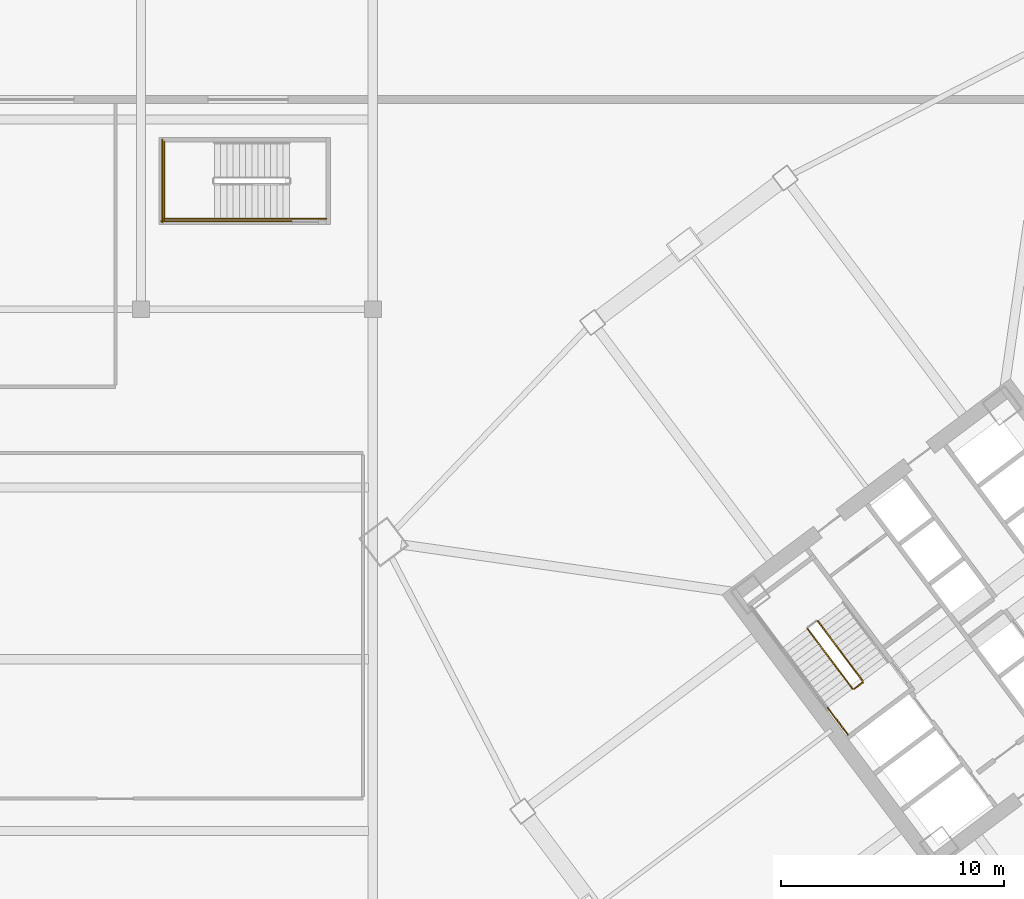
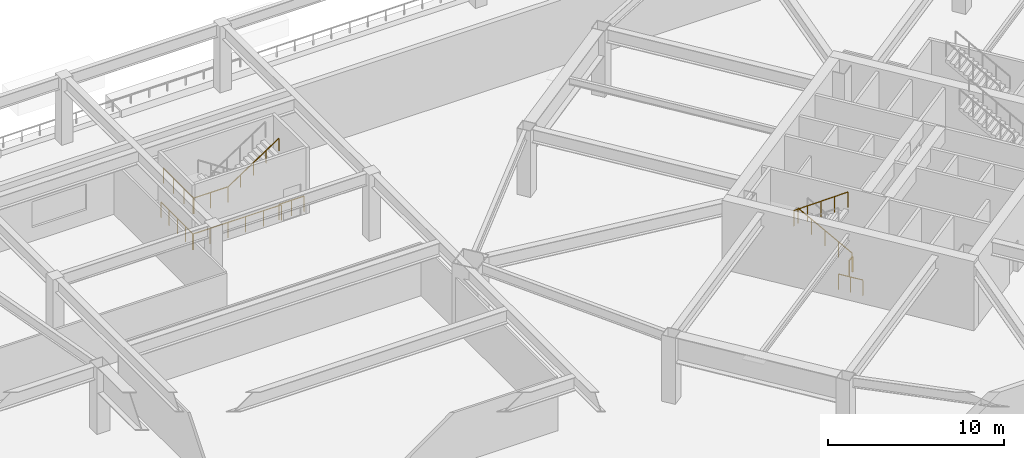
# One storey, part 18 of 21: 10 railings.
"""IFC4 building model written with IfcOpenShell, lengths in metres."""

import ifcopenshell
import ifcopenshell.guid

model = None  # the IFC model being written
_history = None  # IfcOwnerHistory: only IFC2X3 demands one
_inside = {}  # id of a spatial element -> (the spatial element, [elements in it])
_under = {}  # id of a project, library or spatial element -> (it, [spatial elements below it])
_declared = {}  # id of a project -> (the project, [libraries it declares])
_typed = {}  # id of a type object -> (the type object, [elements of that type])
_made_of = {}  # id of a material, layer set ... -> (it, [elements and type objects made of it])


def new_model(schema):
    """Start an empty IFC model of exactly this schema.

    Asked for "IFC4X3", IfcOpenShell would pick the latest addendum, in which some entities
    have other attributes; the version numbers below select the first issue.
    IFC2X3 requires an IfcOwnerHistory on every rooted entity: one is made here for all.
    """
    global model, _history
    if schema == "IFC4X3":
        model = ifcopenshell.file(schema_version=(4, 3, 0, 0))
    else:
        model = ifcopenshell.file(schema=schema)
    _inside.clear()
    _under.clear()
    _declared.clear()
    _typed.clear()
    _made_of.clear()
    _history = None
    if model.schema == "IFC2X3":
        org = make("IfcOrganization", Name="unknown")
        user = make(
            "IfcPersonAndOrganization",
            ThePerson=make("IfcPerson", FamilyName="unknown"),
            TheOrganization=org,
        )
        app = make(
            "IfcApplication",
            ApplicationDeveloper=org,
            Version="unknown",
            ApplicationFullName="unknown",
            ApplicationIdentifier="unknown",
        )
        _history = make(
            "IfcOwnerHistory",
            OwningUser=user,
            OwningApplication=app,
            ChangeAction="ADDED",
            CreationDate=0,
        )
    return model


def make(cls, **values):
    """One entity of the class cls with the attributes given. An attribute that is None is left unset."""
    return model.create_entity(
        cls, **{name: value for name, value in values.items() if value is not None}
    )


def rooted(cls, **values):
    """An entity with a GlobalId (a new one), such as an element, a storey or a relation."""
    return make(cls, GlobalId=ifcopenshell.guid.new(), OwnerHistory=_history, **values)


def si_unit(unit_type, name, prefix=None):
    """IfcSIUnit, for example si_unit("LENGTHUNIT", "METRE", prefix="MILLI")."""
    return make("IfcSIUnit", UnitType=unit_type, Prefix=prefix, Name=name)


def assignment(units):
    """IfcUnitAssignment: the units of a project."""
    return None if units is None else make("IfcUnitAssignment", Units=units)


def point(xyz):
    """IfcCartesianPoint."""
    return None if xyz is None else make("IfcCartesianPoint", Coordinates=xyz)


def direction(xyz):
    """IfcDirection."""
    return None if xyz is None else make("IfcDirection", DirectionRatios=xyz)


def frame(location, z_axis=None, x_axis=None):
    """IfcAxis2Placement3D, a coordinate frame: its origin and axes. An axis left out is left unset."""
    return make(
        "IfcAxis2Placement3D",
        Location=point(location),
        Axis=direction(z_axis),
        RefDirection=direction(x_axis),
    )


def frame_2d(location, x_axis=None):
    """IfcAxis2Placement2D, a coordinate frame in the plane: its origin and x axis."""
    return make(
        "IfcAxis2Placement2D", Location=point(location), RefDirection=direction(x_axis)
    )


def origin():
    """The frame at (0, 0, 0) with its axes left unset."""
    return frame((0.0, 0.0, 0.0))


def origin_2d():
    """The frame at (0, 0) in the plane with its x axis left unset."""
    return frame_2d((0.0, 0.0))


def place(relative_to, where):
    """IfcLocalPlacement: puts the frame where relative to a parent placement (None: the world)."""
    return make(
        "IfcLocalPlacement", PlacementRelTo=relative_to, RelativePlacement=where
    )


def context(
    kind, dimensions, precision=None, world=None, true_north=None, identifier=None
):
    """IfcGeometricRepresentationContext, for example the 3D "Model" context."""
    return make(
        "IfcGeometricRepresentationContext",
        ContextIdentifier=identifier,
        ContextType=kind,
        CoordinateSpaceDimension=dimensions,
        Precision=precision,
        WorldCoordinateSystem=world,
        TrueNorth=true_north,
    )


def subcontext(parent, identifier, kind, view, scale=None):
    """IfcGeometricRepresentationSubContext, for example "Body" below "Model"."""
    return make(
        "IfcGeometricRepresentationSubContext",
        ContextIdentifier=identifier,
        ContextType=kind,
        ParentContext=parent,
        TargetScale=scale,
        TargetView=view,
    )


def project(units=None, contexts=None):
    """IfcProject with its units and contexts."""
    return rooted(
        "IfcProject",
        Name="project",
        RepresentationContexts=contexts,
        UnitsInContext=assignment(units),
    )


def spatial(cls, under=None, at=None, **own):
    """A site, building, storey or space (cls), placed at a placement, below another one or the project."""
    s = rooted(cls, ObjectPlacement=at, **own)
    if under is not None:
        _under.setdefault(under.id(), (under, []))[1].append(s)
    return s


def profile(cls, at=None, kind="AREA", **sizes):
    """A parametric profile (cls). Its sizes go by their IFC names, for example OverallWidth=200.0."""
    return make(cls, ProfileType=kind, Position=at, **sizes)


def rectangle(**sizes):
    """IfcRectangleProfileDef."""
    return profile("IfcRectangleProfileDef", **sizes)


def extrude(swept, where, along, depth):
    """IfcExtrudedAreaSolid: the profile swept, set in the frame where, extruded along a direction by depth."""
    return make(
        "IfcExtrudedAreaSolid",
        SweptArea=swept,
        Position=where,
        ExtrudedDirection=direction(along),
        Depth=depth,
    )


def shape(context_of_items, identifier, shape_type, items):
    """IfcShapeRepresentation: the items that make up one representation, for example the "Body"."""
    return make(
        "IfcShapeRepresentation",
        ContextOfItems=context_of_items,
        RepresentationIdentifier=identifier,
        RepresentationType=shape_type,
        Items=items,
    )


def material(Name=None, Category=None):
    """IfcMaterial."""
    return make("IfcMaterial", Name=Name, Category=Category)


def made_of(thing, what):
    """Note that an element or type object is made of a material, layer set ...; save() writes the relation."""
    if what is not None:
        _made_of.setdefault(what.id(), (what, []))[1].append(thing)
    return thing


def type_object(cls, material=None, **own):
    """A type object (cls), such as IfcWallType, which elements share."""
    return made_of(rooted(cls, **own), material)


def element(
    cls,
    number,
    at=None,
    inside=None,
    cuts=None,
    type_object=None,
    material=None,
    context=None,
    identifier="Body",
    shape_type=None,
    held_by="IfcProductDefinitionShape",
    body=None,
    shapes=None,
    **own,
):
    """One element of the class cls, such as IfcWall. Its Tag is "e" and its number.

    at: its placement. inside: the storey or other place that contains it. cuts: it is an
    opening in that element (IfcRelVoidsElement). A single representation is given by context,
    identifier, shape_type and body (its items); several are given by shapes. held_by: the class
    of the entity that holds the representations. save() writes the other relations.
    """
    e = rooted(cls, Tag="e%d" % number, ObjectPlacement=at, **own)
    if body is not None:
        shapes = [shape(context, identifier, shape_type, body)]
    if shapes is not None:
        e.Representation = make(held_by, Representations=shapes)
    if inside is not None:
        _inside.setdefault(inside.id(), (inside, []))[1].append(e)
    if cuts is not None:
        rooted(
            "IfcRelVoidsElement", RelatingBuildingElement=cuts, RelatedOpeningElement=e
        )
    if type_object is not None:
        _typed.setdefault(type_object.id(), (type_object, []))[1].append(e)
    return made_of(e, material)


def aggregate(whole, parts):
    """IfcRelAggregates: a whole, such as a stair, and the parts it consists of."""
    return rooted("IfcRelAggregates", RelatingObject=whole, RelatedObjects=parts)


def save(model, path):
    """Write the relations noted so far, then the file.

    IfcRelAggregates (storeys below a building ...), IfcRelContainedInSpatialStructure (elements
    in a storey), IfcRelDefinesByType, IfcRelAssociatesMaterial and IfcRelDeclares: one each for
    every whole, place, type object, material and project.
    """
    for whole, parts in _under.values():
        aggregate(whole, parts)
    for where, things in _inside.values():
        rooted(
            "IfcRelContainedInSpatialStructure",
            RelatedElements=things,
            RelatingStructure=where,
        )
    for kind, things in _typed.values():
        rooted("IfcRelDefinesByType", RelatedObjects=things, RelatingType=kind)
    for what, things in _made_of.values():
        rooted("IfcRelAssociatesMaterial", RelatedObjects=things, RelatingMaterial=what)
    for by, libraries in _declared.values():
        rooted("IfcRelDeclares", RelatingContext=by, RelatedDefinitions=libraries)
    model.write(path)


model = new_model("IFC4")

# Units and contexts
model_context = context("Model", 3, precision=1e-05, world=origin(), true_north=direction((0.0, 1.0)))
body_context = subcontext(model_context, "Body", "Model", "MODEL_VIEW")
ifc_project = project(units=[si_unit("LENGTHUNIT", "METRE"), si_unit("AREAUNIT", "SQUARE_METRE"), si_unit("VOLUMEUNIT", "CUBIC_METRE"), si_unit("PLANEANGLEUNIT", "RADIAN"), si_unit("MASSUNIT", "GRAM", prefix="KILO")], contexts=[model_context])

# Site, building, storey
site_placement = place(None, origin())
site = spatial("IfcSite", under=ifc_project, at=site_placement, CompositionType="ELEMENT")
building_placement = place(site_placement, origin())
building = spatial("IfcBuilding", under=site, at=building_placement, Name="Tashvorn Skyway Center", CompositionType="ELEMENT")
storey_placement = place(building_placement, frame((0.0, 0.0, 19.800048828125)))
storey = spatial("IfcBuildingStorey", under=building, at=storey_placement, Name="L04", CompositionType="ELEMENT", Elevation=19.800048828125)

# Railings
ifc_material_1 = material(Name="Brushed stainless steel 316", Category="steel")
railing_type_1 = type_object("IfcRailingType", Name="RAIL-HAND-920", PredefinedType="HANDRAIL", material=ifc_material_1)
railing_1_placement = place(storey_placement, frame((80.090087890625, 50.25, 2.58447265625)))
element("IfcRailing", 1, at=railing_1_placement, inside=storey, type_object=railing_type_1, Name="L04 ST-POD-2 stair handrail 2", PredefinedType="HANDRAIL", context=body_context, shape_type="SweptSolid", body=[
    extrude(rectangle(XDim=0.048095703125, YDim=0.048095703125, at=origin_2d()), frame((0.0, 0.0, 0.8759765625), z_axis=(0.83483021737, 0.0, 0.550507500554), x_axis=(0.0, 1.0, 0.0)), (0.0, 0.0, 1.0), 4.024658203125),
    extrude(rectangle(XDim=0.0419921875, YDim=0.0419921875, at=origin_2d()), origin(), (0.0, 0.0, 1.0), 0.851806640625),
    extrude(rectangle(XDim=0.0419921875, YDim=0.0419921875, at=origin_2d()), frame((0.83984375, 0.0, 0.553955078125)), (0.0, 0.0, 1.0), 0.851806640625),
    extrude(rectangle(XDim=0.0419921875, YDim=0.0419921875, at=origin_2d()), frame((1.679931640625, 0.0, 1.10791015625)), (0.0, 0.0, 1.0), 0.851806640625),
    extrude(rectangle(XDim=0.0419921875, YDim=0.0419921875, at=origin_2d()), frame((2.52001953125, 0.0, 1.66162109375)), (0.0, 0.0, 1.0), 0.851806640625),
    extrude(rectangle(XDim=0.0419921875, YDim=0.0419921875, at=origin_2d()), frame((3.35986328125, 0.0, 2.215576171875)), (0.0, 0.0, 1.0), 0.851806640625),
])
ifc_material_2 = material(Name="Painted galvanized steel S355", Category="steel")
railing_type_2 = type_object("IfcRailingType", Name="RAIL-STGUARD-1100", PredefinedType="GUARDRAIL", material=ifc_material_2)
railing_2_placement = place(storey_placement, frame((109.16796875, 29.52587890625, 0.1845703125)))
element("IfcRailing", 2, at=railing_2_placement, inside=storey, type_object=railing_type_2, Name="L04 ST-T2-1 stair guard 1", PredefinedType="GUARDRAIL", context=body_context, shape_type="SweptSolid", body=[
    extrude(rectangle(XDim=0.048095703125, YDim=0.048095703125, at=origin_2d()), frame((0.0, 0.0, 1.076171875), z_axis=(-0.500877356413, 0.667937576778, 0.550437341902), x_axis=(-0.800043593035, -0.599941871554, 0.0)), (0.0, 0.0, 1.0), 4.024658203125),
    extrude(rectangle(XDim=0.0419921875, YDim=0.0419921875, at=origin_2d()), origin(), (0.0, 0.0, 1.0), 1.052001953125),
    extrude(rectangle(XDim=0.0419921875, YDim=0.0419921875, at=origin_2d()), frame((-0.50390625, 0.672119140625, 0.5537109375)), (0.0, 0.0, 1.0), 1.052001953125),
    extrude(rectangle(XDim=0.0419921875, YDim=0.0419921875, at=origin_2d()), frame((-1.0078125, 1.34423828125, 1.107666015625)), (0.0, 0.0, 1.0), 1.052001953125),
    extrude(rectangle(XDim=0.0419921875, YDim=0.0419921875, at=origin_2d()), frame((-1.511962890625, 2.01611328125, 1.66162109375)), (0.0, 0.0, 1.0), 1.052001953125),
    extrude(rectangle(XDim=0.0419921875, YDim=0.0419921875, at=origin_2d()), frame((-2.015869140625, 2.688232421875, 2.21533203125)), (0.0, 0.0, 1.0), 1.052001953125),
])
railing_3_placement = place(storey_placement, frame((106.68798828125, 31.865966796875, 2.58447265625)))
element("IfcRailing", 3, at=railing_3_placement, inside=storey, type_object=railing_type_2, Name="L04 ST-T2-1 stair guard 4", PredefinedType="GUARDRAIL", context=body_context, shape_type="SweptSolid", body=[
    extrude(rectangle(XDim=0.048095703125, YDim=0.048095703125, at=origin_2d()), frame((0.0, 0.0, 1.076171875), z_axis=(0.500926365169, -0.667861380541, 0.550485197858), x_axis=(0.79998256135, 0.600023250829, 0.0)), (0.0, 0.0, 1.0), 4.024658203125),
    extrude(rectangle(XDim=0.0419921875, YDim=0.0419921875, at=origin_2d()), origin(), (0.0, 0.0, 1.0), 1.052001953125),
    extrude(rectangle(XDim=0.0419921875, YDim=0.0419921875, at=origin_2d()), frame((0.50390625, -0.671875, 0.553955078125)), (0.0, 0.0, 1.0), 1.052001953125),
    extrude(rectangle(XDim=0.0419921875, YDim=0.0419921875, at=origin_2d()), frame((1.008056640625, -1.343994140625, 1.10791015625)), (0.0, 0.0, 1.0), 1.052001953125),
    extrude(rectangle(XDim=0.0419921875, YDim=0.0419921875, at=origin_2d()), frame((1.51220703125, -2.01611328125, 1.66162109375)), (0.0, 0.0, 1.0), 1.052001953125),
    extrude(rectangle(XDim=0.0419921875, YDim=0.0419921875, at=origin_2d()), frame((2.01611328125, -2.68798828125, 2.215576171875)), (0.0, 0.0, 1.0), 1.052001953125),
])
railing_4_placement = place(storey_placement, frame((109.157958984375, 29.4560546875, 0.0)))
element("IfcRailing", 4, at=railing_4_placement, inside=storey, type_object=railing_type_2, Name="L04 ST-T2-1 stair guard 5", PredefinedType="GUARDRAIL", context=body_context, shape_type="SweptSolid", body=[
    extrude(rectangle(XDim=0.048095703125, YDim=0.048095703125, at=origin_2d()), frame((0.0, 0.0, 1.076171875), z_axis=(-0.799938970639, -0.600081363861, 0.0), x_axis=(0.600081363861, -0.799938970639, 0.0)), (0.0, 0.0, 1.0), 0.47998046875),
    extrude(rectangle(XDim=0.0419921875, YDim=0.0419921875, at=origin_2d()), origin(), (0.0, 0.0, 1.0), 1.052001953125),
    extrude(rectangle(XDim=0.0419921875, YDim=0.0419921875, at=origin_2d()), frame((-0.384033203125, -0.2880859375, 0.0)), (0.0, 0.0, 1.0), 1.052001953125),
])
railing_5_placement = place(storey_placement, frame((108.49609375, 27.1220703125, 0.0)))
element("IfcRailing", 5, at=railing_5_placement, inside=storey, type_object=railing_type_2, Name="L04 ST-T2-1 stair guard 6", PredefinedType="GUARDRAIL", context=body_context, shape_type="SweptSolid", body=[
    extrude(rectangle(XDim=0.048095703125, YDim=0.048095703125, at=origin_2d()), frame((0.0, 0.0, 1.076171875), z_axis=(-0.600102796382, 0.799922892393, 0.0), x_axis=(-0.799922892393, -0.600102796382, 0.0)), (0.0, 0.0, 1.0), 1.52001953125),
    extrude(rectangle(XDim=0.0419921875, YDim=0.0419921875, at=origin_2d()), origin(), (0.0, 0.0, 1.0), 1.052001953125),
    extrude(rectangle(XDim=0.0419921875, YDim=0.0419921875, at=origin_2d()), frame((-0.4560546875, 0.60791015625, 0.0)), (0.0, 0.0, 1.0), 1.052001953125),
    extrude(rectangle(XDim=0.0419921875, YDim=0.0419921875, at=origin_2d()), frame((-0.912109375, 1.2158203125, 0.0)), (0.0, 0.0, 1.0), 1.052001953125),
])
railing_6_placement = place(storey_placement, frame((80.090087890625, 50.25, 2.39990234375)))
element("IfcRailing", 6, at=railing_6_placement, inside=storey, type_object=railing_type_2, Name="L04 ST-POD-2 stair guard 3", PredefinedType="GUARDRAIL", context=body_context, shape_type="SweptSolid", body=[
    extrude(rectangle(XDim=0.048095703125, YDim=0.048095703125, at=origin_2d()), frame((0.0, 0.0, 1.076171875), z_axis=(-1.0, 0.0, 0.0), x_axis=(0.0, -1.0, 0.0)), (0.0, 0.0, 1.0), 2.2900390625),
    extrude(rectangle(XDim=0.0419921875, YDim=0.0419921875, at=origin_2d()), origin(), (0.0, 0.0, 1.0), 1.052001953125),
    extrude(rectangle(XDim=0.0419921875, YDim=0.0419921875, at=origin_2d()), frame((-1.14501953125, 0.0, 0.0)), (0.0, 0.0, 1.0), 1.052001953125),
    extrude(rectangle(XDim=0.0419921875, YDim=0.0419921875, at=origin_2d()), frame((-2.2900390625, 0.0, 0.0)), (0.0, 0.0, 1.0), 1.052001953125),
])
railing_7_placement = place(storey_placement, frame((77.85009765625, 53.699951171875, 2.39990234375)))
element("IfcRailing", 7, at=railing_7_placement, inside=storey, type_object=railing_type_2, Name="L04 ST-POD-2 stair guard 4", PredefinedType="GUARDRAIL", context=body_context, shape_type="SweptSolid", body=[
    extrude(rectangle(XDim=0.048095703125, YDim=0.048095703125, at=origin_2d()), frame((0.0, 0.0, 1.076171875), z_axis=(0.0, -1.0, 0.0), x_axis=(1.0, 0.0, 0.0)), (0.0, 0.0, 1.0), 3.5),
    extrude(rectangle(XDim=0.0419921875, YDim=0.0419921875, at=origin_2d()), origin(), (0.0, 0.0, 1.0), 1.052001953125),
    extrude(rectangle(XDim=0.0419921875, YDim=0.0419921875, at=origin_2d()), frame((0.0, -1.166748046875, 0.0)), (0.0, 0.0, 1.0), 1.052001953125),
    extrude(rectangle(XDim=0.0419921875, YDim=0.0419921875, at=origin_2d()), frame((0.0, -2.333251953125, 0.0)), (0.0, 0.0, 1.0), 1.052001953125),
    extrude(rectangle(XDim=0.0419921875, YDim=0.0419921875, at=origin_2d()), frame((0.0, -3.5, 0.0)), (0.0, 0.0, 1.0), 1.052001953125),
])
railing_8_placement = place(storey_placement, frame((85.10009765625, 50.25, 0.0)))
element("IfcRailing", 8, at=railing_8_placement, inside=storey, type_object=railing_type_2, Name="L04 ST-POD-2 stair guard 7", PredefinedType="GUARDRAIL", context=body_context, shape_type="SweptSolid", body=[
    extrude(rectangle(XDim=0.048095703125, YDim=0.048095703125, at=origin_2d()), frame((0.0, 0.0, 1.076171875), z_axis=(-1.0, 0.0, 0.0), x_axis=(0.0, -1.0, 0.0)), (0.0, 0.0, 1.0), 1.650146484375),
    extrude(rectangle(XDim=0.0419921875, YDim=0.0419921875, at=origin_2d()), origin(), (0.0, 0.0, 1.0), 1.052001953125),
    extrude(rectangle(XDim=0.0419921875, YDim=0.0419921875, at=origin_2d()), frame((-0.8251953125, 0.0, 0.0)), (0.0, 0.0, 1.0), 1.052001953125),
    extrude(rectangle(XDim=0.0419921875, YDim=0.0419921875, at=origin_2d()), frame((-1.650146484375, 0.0, 0.0)), (0.0, 0.0, 1.0), 1.052001953125),
])
railing_9_placement = place(storey_placement, frame((83.550048828125, 50.14990234375, 0.0)))
element("IfcRailing", 9, at=railing_9_placement, inside=storey, type_object=railing_type_2, Name="L04 ST-POD-2 stair guard 8", PredefinedType="GUARDRAIL", context=body_context, shape_type="SweptSolid", body=[
    extrude(rectangle(XDim=0.048095703125, YDim=0.048095703125, at=origin_2d()), frame((0.0, 0.0, 1.076171875), z_axis=(-1.0, 0.0, 0.0), x_axis=(0.0, -1.0, 0.0)), (0.0, 0.0, 1.0), 5.85009765625),
    extrude(rectangle(XDim=0.0419921875, YDim=0.0419921875, at=origin_2d()), origin(), (0.0, 0.0, 1.0), 1.052001953125),
    extrude(rectangle(XDim=0.0419921875, YDim=0.0419921875, at=origin_2d()), frame((-1.169921875, 0.0, 0.0)), (0.0, 0.0, 1.0), 1.052001953125),
    extrude(rectangle(XDim=0.0419921875, YDim=0.0419921875, at=origin_2d()), frame((-2.340087890625, 0.0, 0.0)), (0.0, 0.0, 1.0), 1.052001953125),
    extrude(rectangle(XDim=0.0419921875, YDim=0.0419921875, at=origin_2d()), frame((-3.510009765625, 0.0, 0.0)), (0.0, 0.0, 1.0), 1.052001953125),
    extrude(rectangle(XDim=0.0419921875, YDim=0.0419921875, at=origin_2d()), frame((-4.68017578125, 0.0, 0.0)), (0.0, 0.0, 1.0), 1.052001953125),
    extrude(rectangle(XDim=0.0419921875, YDim=0.0419921875, at=origin_2d()), frame((-5.85009765625, 0.0, 0.0)), (0.0, 0.0, 1.0), 1.052001953125),
])
railing_10_placement = place(storey_placement, frame((77.75, 53.800048828125, 0.0)))
element("IfcRailing", 10, at=railing_10_placement, inside=storey, type_object=railing_type_2, Name="L04 ST-POD-2 stair guard 9", PredefinedType="GUARDRAIL", context=body_context, shape_type="SweptSolid", body=[
    extrude(rectangle(XDim=0.048095703125, YDim=0.048095703125, at=origin_2d()), frame((0.0, 0.0, 1.076171875), z_axis=(0.0, -1.0, 0.0), x_axis=(1.0, 0.0, 0.0)), (0.0, 0.0, 1.0), 3.699951171875),
    extrude(rectangle(XDim=0.0419921875, YDim=0.0419921875, at=origin_2d()), origin(), (0.0, 0.0, 1.0), 1.052001953125),
    extrude(rectangle(XDim=0.0419921875, YDim=0.0419921875, at=origin_2d()), frame((0.0, -0.925048828125, 0.0)), (0.0, 0.0, 1.0), 1.052001953125),
    extrude(rectangle(XDim=0.0419921875, YDim=0.0419921875, at=origin_2d()), frame((0.0, -1.85009765625, 0.0)), (0.0, 0.0, 1.0), 1.052001953125),
    extrude(rectangle(XDim=0.0419921875, YDim=0.0419921875, at=origin_2d()), frame((0.0, -2.77490234375, 0.0)), (0.0, 0.0, 1.0), 1.052001953125),
    extrude(rectangle(XDim=0.0419921875, YDim=0.0419921875, at=origin_2d()), frame((0.0, -3.699951171875, 0.0)), (0.0, 0.0, 1.0), 1.052001953125),
])

save(model, "model.ifc")
